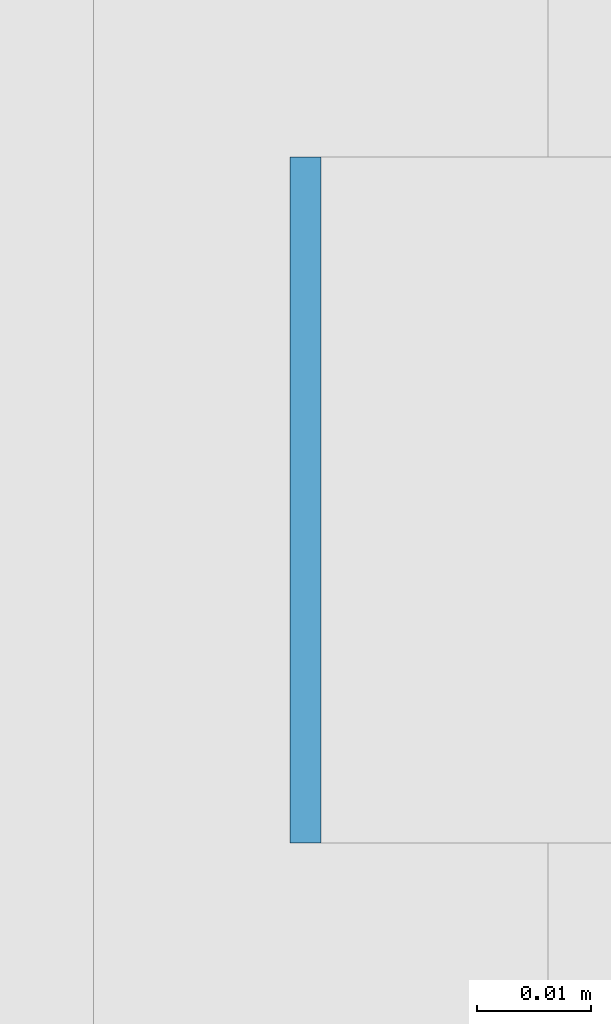
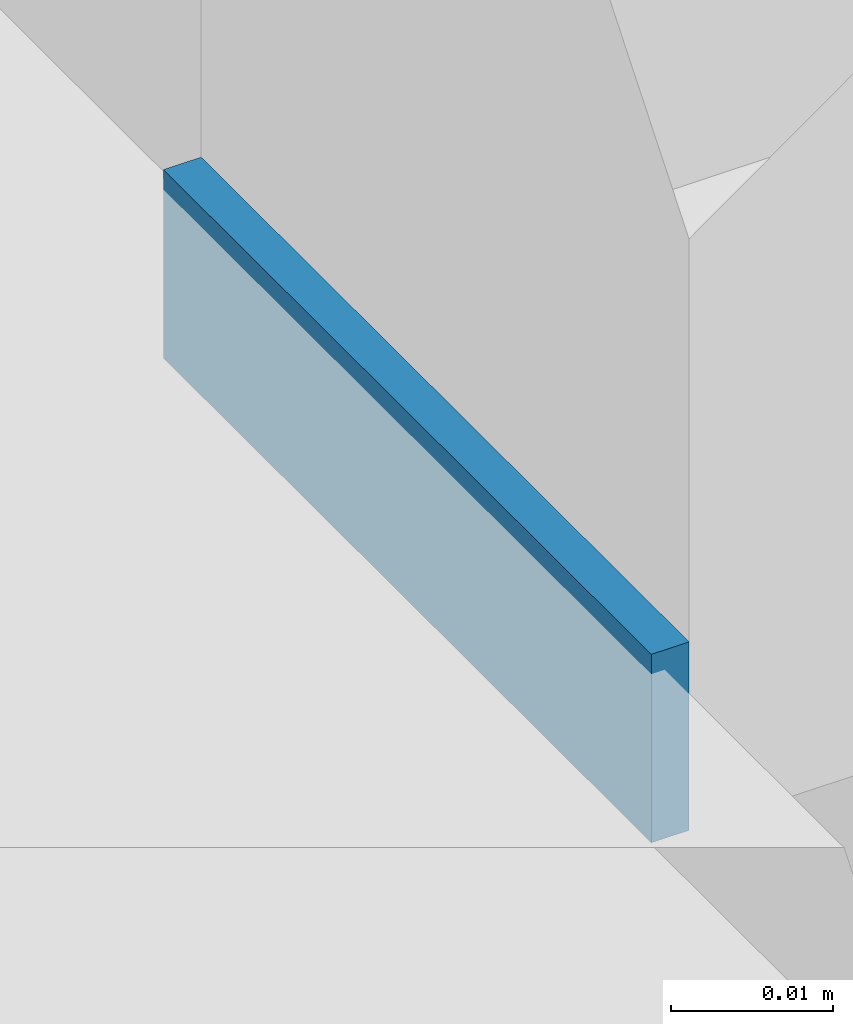
# One storey, part 616 of 646: 1 discrete accessory.
"""IFC4 building model written with IfcOpenShell, lengths in metres."""

from ifc_helpers import new_model, si_unit, direction, frame, origin, origin_2d, place, context, subcontext, project, spatial, rectangle, extrude, material, type_object, element, save


model = new_model("IFC4")

# Units and contexts
model_context = context("Model", 3, precision=1e-05, world=origin(), true_north=direction((0.0, 1.0)))
body_context = subcontext(model_context, "Body", "Model", "MODEL_VIEW")
ifc_project = project(units=[si_unit("LENGTHUNIT", "METRE"), si_unit("AREAUNIT", "SQUARE_METRE"), si_unit("VOLUMEUNIT", "CUBIC_METRE"), si_unit("PLANEANGLEUNIT", "RADIAN"), si_unit("MASSUNIT", "GRAM", prefix="KILO")], contexts=[model_context])

# Site, building, storey
site_placement = place(None, origin())
site = spatial("IfcSite", under=ifc_project, at=site_placement, CompositionType="ELEMENT")
building_placement = place(site_placement, origin())
building = spatial("IfcBuilding", under=site, at=building_placement, Name="Silverbay Arena", CompositionType="ELEMENT")
storey_placement = place(building_placement, frame((0.0, 0.0, 33.5)))
storey = spatial("IfcBuildingStorey", under=building, at=storey_placement, Name="L05", CompositionType="ELEMENT", Elevation=33.5)

# Discrete accessory
ifc_material = material(Name="Steel S355", Category="steel")
discrete_accessory_type = type_object("IfcDiscreteAccessoryType", Name="Steel bracket plate", PredefinedType="BRACKET", material=ifc_material)
discrete_accessory_placement = place(storey_placement, frame((207.128662109375, 133.166748046875, 4.0), z_axis=(0.0, 0.0, 1.0), x_axis=(1.0, 0.0, 0.0)))
element("IfcDiscreteAccessory", 1, at=discrete_accessory_placement, inside=storey, type_object=discrete_accessory_type, Name="Curtain wall packing plate", PredefinedType="BRACKET", context=body_context, shape_type="SweptSolid", body=[
    extrude(rectangle(XDim=0.002685546875, YDim=0.06005859375, at=origin_2d()), origin(), (0.0, 0.0, 1.0), 0.01416015625),
])

save(model, "model.ifc")
